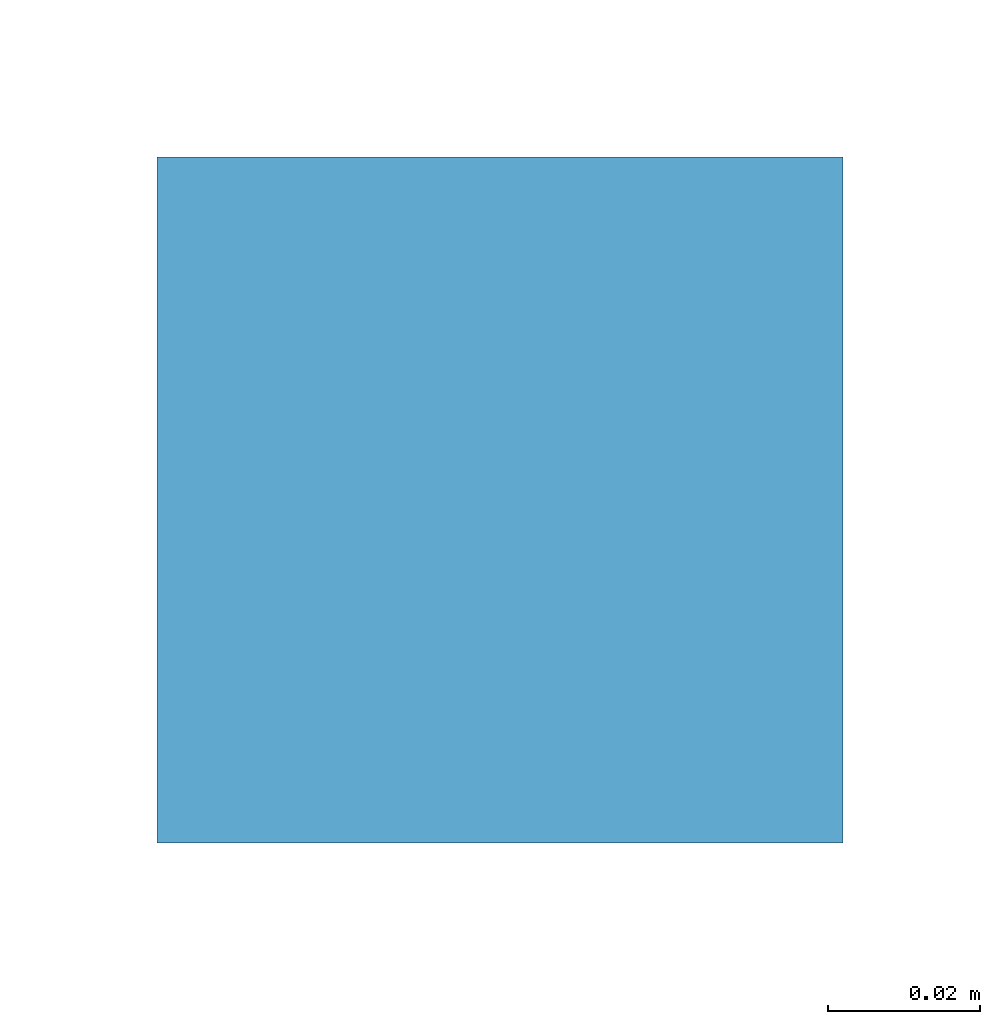
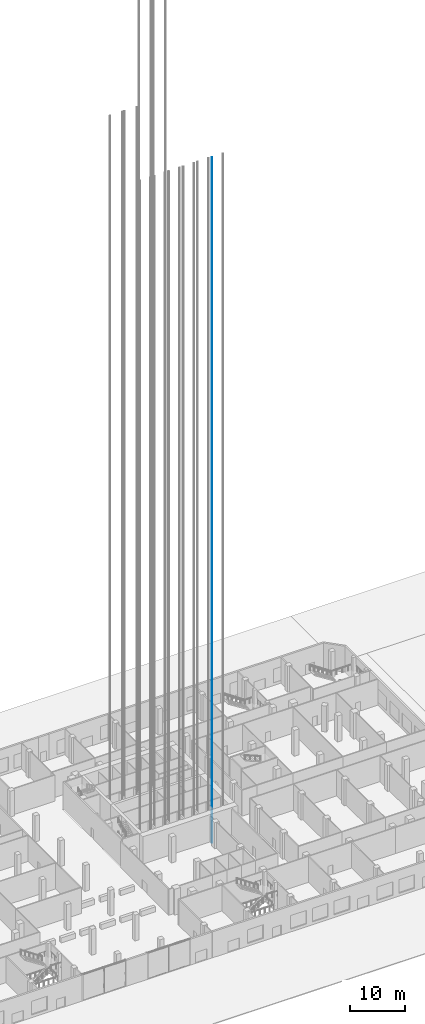
# One storey, part 22 of 55: 1 member.
"""IFC4 building model written with IfcOpenShell, lengths in metres."""

import ifcopenshell
import ifcopenshell.guid

model = None  # the IFC model being written
_history = None  # IfcOwnerHistory: only IFC2X3 demands one
_inside = {}  # id of a spatial element -> (the spatial element, [elements in it])
_under = {}  # id of a project, library or spatial element -> (it, [spatial elements below it])
_declared = {}  # id of a project -> (the project, [libraries it declares])
_typed = {}  # id of a type object -> (the type object, [elements of that type])
_made_of = {}  # id of a material, layer set ... -> (it, [elements and type objects made of it])


def new_model(schema):
    """Start an empty IFC model of exactly this schema.

    Asked for "IFC4X3", IfcOpenShell would pick the latest addendum, in which some entities
    have other attributes; the version numbers below select the first issue.
    IFC2X3 requires an IfcOwnerHistory on every rooted entity: one is made here for all.
    """
    global model, _history
    if schema == "IFC4X3":
        model = ifcopenshell.file(schema_version=(4, 3, 0, 0))
    else:
        model = ifcopenshell.file(schema=schema)
    _inside.clear()
    _under.clear()
    _declared.clear()
    _typed.clear()
    _made_of.clear()
    _history = None
    if model.schema == "IFC2X3":
        org = make("IfcOrganization", Name="unknown")
        user = make(
            "IfcPersonAndOrganization",
            ThePerson=make("IfcPerson", FamilyName="unknown"),
            TheOrganization=org,
        )
        app = make(
            "IfcApplication",
            ApplicationDeveloper=org,
            Version="unknown",
            ApplicationFullName="unknown",
            ApplicationIdentifier="unknown",
        )
        _history = make(
            "IfcOwnerHistory",
            OwningUser=user,
            OwningApplication=app,
            ChangeAction="ADDED",
            CreationDate=0,
        )
    return model


def make(cls, **values):
    """One entity of the class cls with the attributes given. An attribute that is None is left unset."""
    return model.create_entity(
        cls, **{name: value for name, value in values.items() if value is not None}
    )


def rooted(cls, **values):
    """An entity with a GlobalId (a new one), such as an element, a storey or a relation."""
    return make(cls, GlobalId=ifcopenshell.guid.new(), OwnerHistory=_history, **values)


def si_unit(unit_type, name, prefix=None):
    """IfcSIUnit, for example si_unit("LENGTHUNIT", "METRE", prefix="MILLI")."""
    return make("IfcSIUnit", UnitType=unit_type, Prefix=prefix, Name=name)


def assignment(units):
    """IfcUnitAssignment: the units of a project."""
    return None if units is None else make("IfcUnitAssignment", Units=units)


def point(xyz):
    """IfcCartesianPoint."""
    return None if xyz is None else make("IfcCartesianPoint", Coordinates=xyz)


def direction(xyz):
    """IfcDirection."""
    return None if xyz is None else make("IfcDirection", DirectionRatios=xyz)


def frame(location, z_axis=None, x_axis=None):
    """IfcAxis2Placement3D, a coordinate frame: its origin and axes. An axis left out is left unset."""
    return make(
        "IfcAxis2Placement3D",
        Location=point(location),
        Axis=direction(z_axis),
        RefDirection=direction(x_axis),
    )


def frame_2d(location, x_axis=None):
    """IfcAxis2Placement2D, a coordinate frame in the plane: its origin and x axis."""
    return make(
        "IfcAxis2Placement2D", Location=point(location), RefDirection=direction(x_axis)
    )


def origin():
    """The frame at (0, 0, 0) with its axes left unset."""
    return frame((0.0, 0.0, 0.0))


def origin_2d():
    """The frame at (0, 0) in the plane with its x axis left unset."""
    return frame_2d((0.0, 0.0))


def place(relative_to, where):
    """IfcLocalPlacement: puts the frame where relative to a parent placement (None: the world)."""
    return make(
        "IfcLocalPlacement", PlacementRelTo=relative_to, RelativePlacement=where
    )


def context(
    kind, dimensions, precision=None, world=None, true_north=None, identifier=None
):
    """IfcGeometricRepresentationContext, for example the 3D "Model" context."""
    return make(
        "IfcGeometricRepresentationContext",
        ContextIdentifier=identifier,
        ContextType=kind,
        CoordinateSpaceDimension=dimensions,
        Precision=precision,
        WorldCoordinateSystem=world,
        TrueNorth=true_north,
    )


def subcontext(parent, identifier, kind, view, scale=None):
    """IfcGeometricRepresentationSubContext, for example "Body" below "Model"."""
    return make(
        "IfcGeometricRepresentationSubContext",
        ContextIdentifier=identifier,
        ContextType=kind,
        ParentContext=parent,
        TargetScale=scale,
        TargetView=view,
    )


def project(units=None, contexts=None):
    """IfcProject with its units and contexts."""
    return rooted(
        "IfcProject",
        Name="project",
        RepresentationContexts=contexts,
        UnitsInContext=assignment(units),
    )


def spatial(cls, under=None, at=None, **own):
    """A site, building, storey or space (cls), placed at a placement, below another one or the project."""
    s = rooted(cls, ObjectPlacement=at, **own)
    if under is not None:
        _under.setdefault(under.id(), (under, []))[1].append(s)
    return s


def profile(cls, at=None, kind="AREA", **sizes):
    """A parametric profile (cls). Its sizes go by their IFC names, for example OverallWidth=200.0."""
    return make(cls, ProfileType=kind, Position=at, **sizes)


def rectangle(**sizes):
    """IfcRectangleProfileDef."""
    return profile("IfcRectangleProfileDef", **sizes)


def extrude(swept, where, along, depth):
    """IfcExtrudedAreaSolid: the profile swept, set in the frame where, extruded along a direction by depth."""
    return make(
        "IfcExtrudedAreaSolid",
        SweptArea=swept,
        Position=where,
        ExtrudedDirection=direction(along),
        Depth=depth,
    )


def shape(context_of_items, identifier, shape_type, items):
    """IfcShapeRepresentation: the items that make up one representation, for example the "Body"."""
    return make(
        "IfcShapeRepresentation",
        ContextOfItems=context_of_items,
        RepresentationIdentifier=identifier,
        RepresentationType=shape_type,
        Items=items,
    )


def material(Name=None, Category=None):
    """IfcMaterial."""
    return make("IfcMaterial", Name=Name, Category=Category)


def material_profile(
    of_material, cross_section, Name=None, Category=None, Priority=None
):
    """IfcMaterialProfile: a cross section and its material."""
    return make(
        "IfcMaterialProfile",
        Name=Name,
        Material=of_material,
        Profile=cross_section,
        Priority=Priority,
        Category=Category,
    )


def profile_set(profiles, Name=None, composite=None):
    """IfcMaterialProfileSet."""
    return make(
        "IfcMaterialProfileSet",
        Name=Name,
        MaterialProfiles=profiles,
        CompositeProfile=composite,
    )


def made_of(thing, what):
    """Note that an element or type object is made of a material, layer set ...; save() writes the relation."""
    if what is not None:
        _made_of.setdefault(what.id(), (what, []))[1].append(thing)
    return thing


def type_object(cls, material=None, **own):
    """A type object (cls), such as IfcWallType, which elements share."""
    return made_of(rooted(cls, **own), material)


def element(
    cls,
    number,
    at=None,
    inside=None,
    cuts=None,
    type_object=None,
    material=None,
    context=None,
    identifier="Body",
    shape_type=None,
    held_by="IfcProductDefinitionShape",
    body=None,
    shapes=None,
    **own,
):
    """One element of the class cls, such as IfcWall. Its Tag is "e" and its number.

    at: its placement. inside: the storey or other place that contains it. cuts: it is an
    opening in that element (IfcRelVoidsElement). A single representation is given by context,
    identifier, shape_type and body (its items); several are given by shapes. held_by: the class
    of the entity that holds the representations. save() writes the other relations.
    """
    e = rooted(cls, Tag="e%d" % number, ObjectPlacement=at, **own)
    if body is not None:
        shapes = [shape(context, identifier, shape_type, body)]
    if shapes is not None:
        e.Representation = make(held_by, Representations=shapes)
    if inside is not None:
        _inside.setdefault(inside.id(), (inside, []))[1].append(e)
    if cuts is not None:
        rooted(
            "IfcRelVoidsElement", RelatingBuildingElement=cuts, RelatedOpeningElement=e
        )
    if type_object is not None:
        _typed.setdefault(type_object.id(), (type_object, []))[1].append(e)
    return made_of(e, material)


def aggregate(whole, parts):
    """IfcRelAggregates: a whole, such as a stair, and the parts it consists of."""
    return rooted("IfcRelAggregates", RelatingObject=whole, RelatedObjects=parts)


def save(model, path):
    """Write the relations noted so far, then the file.

    IfcRelAggregates (storeys below a building ...), IfcRelContainedInSpatialStructure (elements
    in a storey), IfcRelDefinesByType, IfcRelAssociatesMaterial and IfcRelDeclares: one each for
    every whole, place, type object, material and project.
    """
    for whole, parts in _under.values():
        aggregate(whole, parts)
    for where, things in _inside.values():
        rooted(
            "IfcRelContainedInSpatialStructure",
            RelatedElements=things,
            RelatingStructure=where,
        )
    for kind, things in _typed.values():
        rooted("IfcRelDefinesByType", RelatedObjects=things, RelatingType=kind)
    for what, things in _made_of.values():
        rooted("IfcRelAssociatesMaterial", RelatedObjects=things, RelatingMaterial=what)
    for by, libraries in _declared.values():
        rooted("IfcRelDeclares", RelatingContext=by, RelatedDefinitions=libraries)
    model.write(path)


model = new_model("IFC4")

# Units and contexts
model_context = context("Model", 3, precision=1e-05, world=origin(), true_north=direction((0.0, 1.0)))
body_context = subcontext(model_context, "Body", "Model", "MODEL_VIEW")
ifc_project = project(units=[si_unit("LENGTHUNIT", "METRE"), si_unit("AREAUNIT", "SQUARE_METRE"), si_unit("VOLUMEUNIT", "CUBIC_METRE"), si_unit("PLANEANGLEUNIT", "RADIAN"), si_unit("MASSUNIT", "GRAM", prefix="KILO")], contexts=[model_context])

# Site, building, storey
site_placement = place(None, origin())
site = spatial("IfcSite", under=ifc_project, at=site_placement, CompositionType="ELEMENT")
building_placement = place(site_placement, origin())
building = spatial("IfcBuilding", under=site, at=building_placement, Name="Cinnabar Reach Civic Tower", CompositionType="ELEMENT")
storey_placement = place(building_placement, origin())
storey = spatial("IfcBuildingStorey", under=building, at=storey_placement, Name="L00", CompositionType="ELEMENT", Elevation=0.0)

# Member
ifc_material = material(Name="Steel Q355B", Category="steel")
ifc_material_profile = material_profile(ifc_material, rectangle(XDim=0.09, YDim=0.09, at=origin_2d()), Name="T1 lift guide rail")
ifc_profile_set = profile_set([ifc_material_profile], Name="Steel Q355B")
member_type = type_object("IfcMemberType", Name="T1 lift guide rail", PredefinedType="USERDEFINED", material=ifc_profile_set)
member_placement = place(storey_placement, frame((19.87, 22.5, -2.5), z_axis=(0.0, 0.0, 1.0), x_axis=(1.0, 0.0, 0.0)))
element("IfcMember", 1, at=member_placement, inside=storey, type_object=member_type, Name="T1-LR6 guide rail 1", ObjectType="GUIDE RAIL", PredefinedType="USERDEFINED", context=body_context, shape_type="SweptSolid", body=[
    extrude(rectangle(XDim=0.09, YDim=0.09, at=origin_2d()), origin(), (0.0, 0.0, 1.0), 150.9),
])

save(model, "model.ifc")
